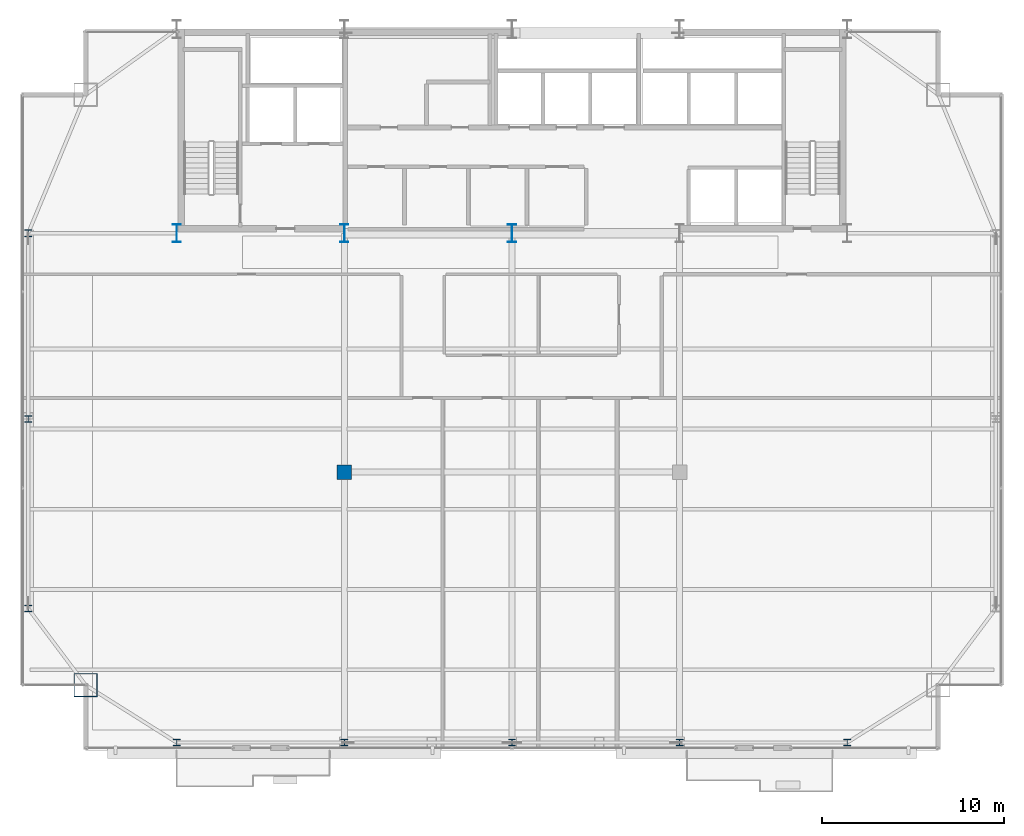
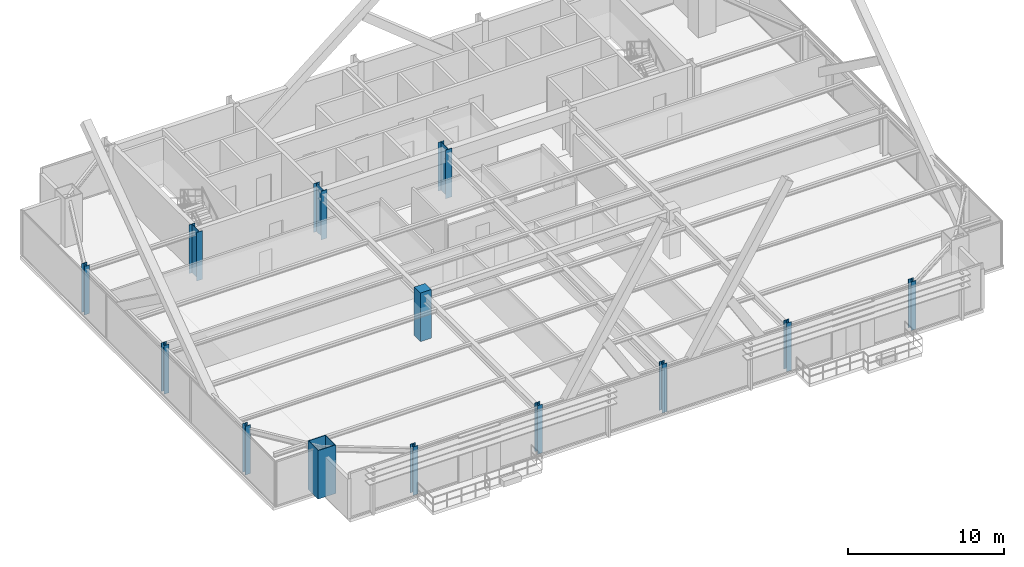
# One storey, part 1 of 34: 13 columns.
"""IFC4 building model written with IfcOpenShell, lengths in metres."""

from ifc_helpers import new_model, si_unit, direction, frame, origin, origin_2d, place, context, subcontext, project, spatial, rectangle, hollow_rectangle, i_section, extrude, source, transform, mapped, material, material_profile, profile_set, type_object, type_shapes, element, save


model = new_model("IFC4")

# Units and contexts
model_context = context("Model", 3, precision=1e-05, world=origin(), true_north=direction((0.0, 1.0)))
body_context = subcontext(model_context, "Body", "Model", "MODEL_VIEW")
ifc_project = project(units=[si_unit("LENGTHUNIT", "METRE"), si_unit("AREAUNIT", "SQUARE_METRE"), si_unit("VOLUMEUNIT", "CUBIC_METRE"), si_unit("PLANEANGLEUNIT", "RADIAN"), si_unit("MASSUNIT", "GRAM", prefix="KILO")], contexts=[model_context])

# Site, building, storey
site_placement = place(None, origin())
site = spatial("IfcSite", under=ifc_project, at=site_placement, CompositionType="ELEMENT")
building_placement = place(site_placement, origin())
building = spatial("IfcBuilding", under=site, at=building_placement, Name="Varnel Quay Broadcast Tower", CompositionType="ELEMENT")
storey_placement = place(building_placement, frame((0.0, 0.0, 161.0)))
storey = spatial("IfcBuildingStorey", under=building, at=storey_placement, Name="L39", CompositionType="ELEMENT", Elevation=161.0)

# Columns
ifc_material_1 = material(Name="Structural Steel CSA G40.21 350WT", Category="steel")
ifc_material_profile_1 = material_profile(ifc_material_1, i_section(OverallWidth=0.449951171875, OverallDepth=1.0, WebThickness=0.01611328125, FlangeThickness=0.030029296875, FilletRadius=0.01611328125, at=origin_2d()), Name="WWF1000X362")
ifc_profile_set_1 = profile_set([ifc_material_profile_1], Name="Structural Steel CSA G40.21 350WT")
column_type_1 = type_object("IfcColumnType", Name="Col_WWF1000X362", PredefinedType="COLUMN", material=ifc_profile_set_1)
shared_shape_1 = source(origin(), body_context, "Body", "SweptSolid", [
    extrude(i_section(OverallWidth=0.449951171875, OverallDepth=1.0, WebThickness=0.01611328125, FlangeThickness=0.030029296875, FilletRadius=0.01611328125, at=origin_2d()), origin(), (0.0, 0.0, 1.0), 3.800048828125),
])
type_shapes(column_type_1, [shared_shape_1])
for number, where, z_axis, x_axis, name in (
    (1, (15.60009765625, 35.60009765625, 0.0), (0.0, 0.0, 1.0), (1.0, 0.0, 0.0), "L39 Column CC-S1"),
    (2, (24.800048828125, 35.60009765625, 0.0), (0.0, 0.0, 1.0), (1.0, 0.0, 0.0), "L39 Column CC-S2"),
    (3, (34.0, 35.60009765625, 0.0), (0.0, 0.0, 1.0), (1.0, 0.0, 0.0), "L39 Column CC-S3"),
):
    element("IfcColumn", number, at=place(storey_placement, frame(where, z_axis=z_axis, x_axis=x_axis)), inside=storey, type_object=column_type_1, Name=name, PredefinedType="COLUMN", context=body_context, shape_type="MappedRepresentation", body=[
        mapped(shared_shape_1, transform((0.0, 0.0, 0.0), x_axis=(1.0, 0.0, 0.0), y_axis=(0.0, 1.0, 0.0), z_axis=(0.0, 0.0, 1.0), scale=1.0)),
    ])
ifc_material_profile_2 = material_profile(ifc_material_1, hollow_rectangle(XDim=1.300048828125, YDim=1.300048828125, WallThickness=0.050048828125, at=origin_2d()), Name="BOX1300X1300X50")
ifc_profile_set_2 = profile_set([ifc_material_profile_2], Name="Structural Steel CSA G40.21 350WT")
column_type_2 = type_object("IfcColumnType", Name="Col_BOX1300X1300X50", PredefinedType="COLUMN", material=ifc_profile_set_2)
shared_shape_2 = source(origin(), body_context, "Body", "SweptSolid", [
    extrude(hollow_rectangle(XDim=1.300048828125, YDim=1.300048828125, WallThickness=0.050048828125, at=origin_2d()), origin(), (0.0, 0.0, 1.0), 3.800048828125),
])
type_shapes(column_type_2, [shared_shape_2])
column_1_placement = place(storey_placement, frame((10.60009765625, 10.800048828125, 0.0), z_axis=(0.0, 0.0, 1.0), x_axis=(1.0, 0.0, 0.0)))
element("IfcColumn", 4, at=column_1_placement, inside=storey, type_object=column_type_2, Name="L39 Column MC-SW", PredefinedType="COLUMN", context=body_context, shape_type="MappedRepresentation", body=[
    mapped(shared_shape_2, transform((0.0, 0.0, 0.0), x_axis=(1.0, 0.0, 0.0), y_axis=(0.0, 1.0, 0.0), z_axis=(0.0, 0.0, 1.0), scale=1.0)),
])
ifc_material_2 = material(Name="Structural Steel CSA G40.21 350W", Category="steel")
ifc_material_profile_3 = material_profile(ifc_material_2, i_section(OverallWidth=0.3740234375, OverallDepth=0.3720703125, WebThickness=0.016357421875, FlangeThickness=0.026123046875, FilletRadius=0.01611328125, at=origin_2d()), Name="W360X196")
ifc_profile_set_3 = profile_set([ifc_material_profile_3], Name="Structural Steel CSA G40.21 350W")
column_type_3 = type_object("IfcColumnType", Name="Col_W360X196", PredefinedType="COLUMN", material=ifc_profile_set_3)
shared_shape_3 = source(origin(), body_context, "Body", "SweptSolid", [
    extrude(i_section(OverallWidth=0.3740234375, OverallDepth=0.3720703125, WebThickness=0.016357421875, FlangeThickness=0.026123046875, FilletRadius=0.01611328125, at=origin_2d()), origin(), (0.0, 0.0, 1.0), 3.800048828125),
])
type_shapes(column_type_3, [shared_shape_3])
for number, where, z_axis, x_axis, name in (
    (5, (15.60009765625, 7.64990234375, 0.0), (0.0, 0.0, 1.0), (1.0, 0.0, 0.0), "L39 Column TC-S1"),
    (6, (24.800048828125, 7.64990234375, 0.0), (0.0, 0.0, 1.0), (1.0, 0.0, 0.0), "L39 Column TC-S2"),
    (7, (34.0, 7.64990234375, 0.0), (0.0, 0.0, 1.0), (1.0, 0.0, 0.0), "L39 Column TC-S3"),
    (8, (43.199951171875, 7.64990234375, 0.0), (0.0, 0.0, 1.0), (1.0, 0.0, 0.0), "L39 Column TC-S4"),
    (9, (52.39990234375, 7.64990234375, 0.0), (0.0, 0.0, 1.0), (1.0, 0.0, 0.0), "L39 Column TC-S5"),
    (10, (7.449951171875, 15.0, 0.0), (0.0, 0.0, 1.0), (1.0, 0.0, 0.0), "L39 Column TC-W1"),
    (11, (7.449951171875, 25.39990234375, 0.0), (0.0, 0.0, 1.0), (1.0, 0.0, 0.0), "L39 Column TC-W2"),
    (12, (7.449951171875, 35.60009765625, 0.0), (0.0, 0.0, 1.0), (1.0, 0.0, 0.0), "L39 Column TC-W3"),
):
    element("IfcColumn", number, at=place(storey_placement, frame(where, z_axis=z_axis, x_axis=x_axis)), inside=storey, type_object=column_type_3, Name=name, PredefinedType="COLUMN", context=body_context, shape_type="MappedRepresentation", body=[
        mapped(shared_shape_3, transform((0.0, 0.0, 0.0), x_axis=(1.0, 0.0, 0.0), y_axis=(0.0, 1.0, 0.0), z_axis=(0.0, 0.0, 1.0), scale=1.0)),
    ])
ifc_material_3 = material(Name="Concrete CSA A23.3 C50/60", Category="concrete")
ifc_material_profile_4 = material_profile(ifc_material_3, rectangle(XDim=0.800048828125, YDim=0.800048828125, at=origin_2d()), Name="RC800X800")
ifc_profile_set_4 = profile_set([ifc_material_profile_4], Name="Concrete CSA A23.3 C50/60")
column_type_4 = type_object("IfcColumnType", Name="Col_RC800X800", PredefinedType="COLUMN", material=ifc_profile_set_4)
shared_shape_4 = source(origin(), body_context, "Body", "SweptSolid", [
    extrude(rectangle(XDim=0.800048828125, YDim=0.800048828125, at=origin_2d()), origin(), (0.0, 0.0, 1.0), 3.800048828125),
])
type_shapes(column_type_4, [shared_shape_4])
column_2_placement = place(storey_placement, frame((24.800048828125, 22.489990234375, 0.0), z_axis=(0.0, 0.0, 1.0), x_axis=(1.0, 0.0, 0.0)))
element("IfcColumn", 13, at=column_2_placement, inside=storey, type_object=column_type_4, Name="L39 Column IC-01", PredefinedType="COLUMN", context=body_context, shape_type="MappedRepresentation", body=[
    mapped(shared_shape_4, transform((0.0, 0.0, 0.0), x_axis=(1.0, 0.0, 0.0), y_axis=(0.0, 1.0, 0.0), z_axis=(0.0, 0.0, 1.0), scale=1.0)),
])

save(model, "model.ifc")
